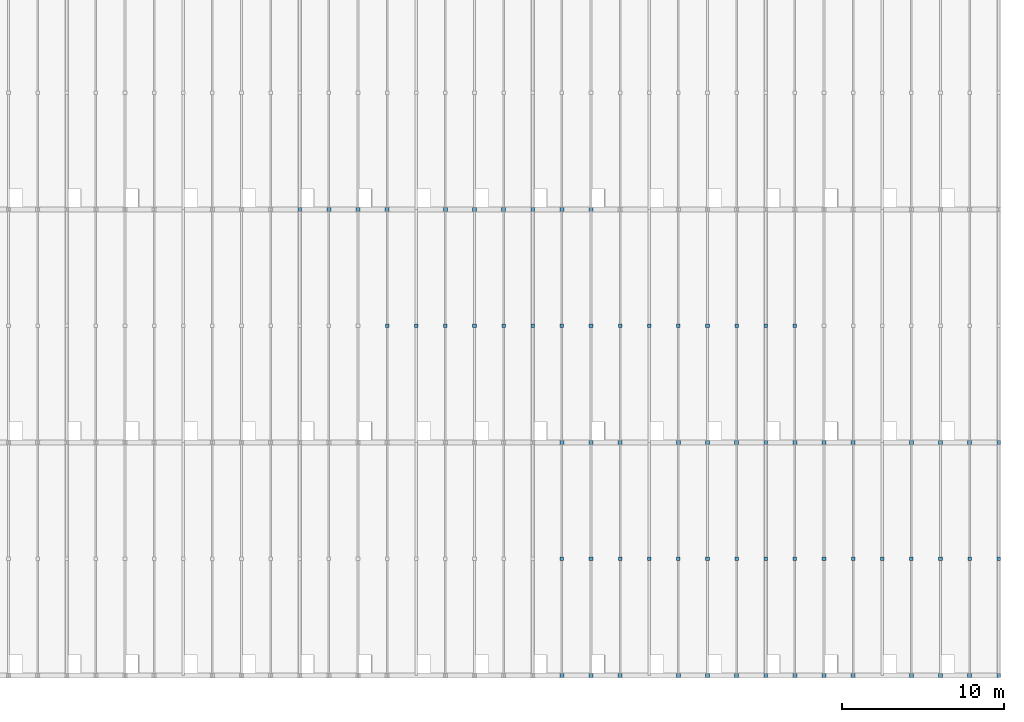
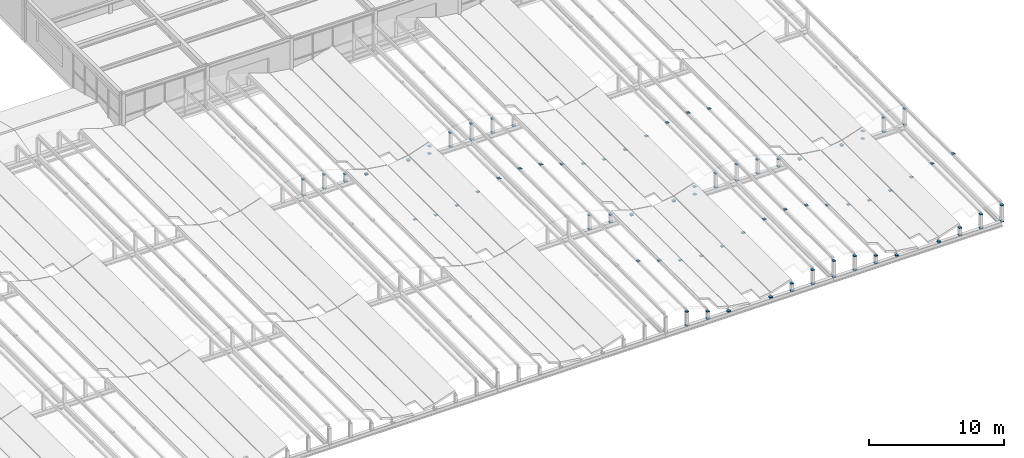
# One storey, part 76 of 83: 106 discrete accessories.
"""IFC4 building model written with IfcOpenShell, lengths in metres."""

from ifc_helpers import new_model, si_unit, direction, frame, origin, origin_2d, place, context, subcontext, project, spatial, rectangle, extrude, material, type_object, element, save


model = new_model("IFC4")

# Units and contexts
model_context = context("Model", 3, precision=1e-05, world=origin(), true_north=direction((0.0, 1.0)))
body_context = subcontext(model_context, "Body", "Model", "MODEL_VIEW")
ifc_project = project(units=[si_unit("LENGTHUNIT", "METRE"), si_unit("AREAUNIT", "SQUARE_METRE"), si_unit("VOLUMEUNIT", "CUBIC_METRE"), si_unit("PLANEANGLEUNIT", "RADIAN"), si_unit("MASSUNIT", "GRAM", prefix="KILO")], contexts=[model_context])

# Site, building, storey
site_placement = place(None, origin())
site = spatial("IfcSite", under=ifc_project, at=site_placement, CompositionType="ELEMENT")
building_placement = place(site_placement, origin())
building = spatial("IfcBuilding", under=site, at=building_placement, Name="Leyfeld Transit Interchange", CompositionType="ELEMENT")
storey_placement = place(building_placement, frame((0.0, 0.0, 5.39990234375)))
storey = spatial("IfcBuildingStorey", under=building, at=storey_placement, Name="L01", CompositionType="ELEMENT", Elevation=5.39990234375)

# Discrete accessories
ifc_material = material(Name="Steel S355J2", Category="steel")
discrete_accessory_type = type_object("IfcDiscreteAccessoryType", Name="ACC-BRK-PUR", PredefinedType="BRACKET", material=ifc_material)
for number, where, z_axis, x_axis, name in (
    (1, (144.0, 28.800048828125, 0.85009765625), (0.0, 0.0, 1.0), (1.0, 0.0, 0.0), "Riser Post Base Shoe 162"),
    (2, (144.0, 28.800048828125, 2.318115234375), (0.0, 0.0, 1.0), (1.0, 0.0, 0.0), "Riser Post Cap Shoe 162"),
    (3, (145.800048828125, 28.800048828125, 0.85009765625), (0.0, 0.0, 1.0), (1.0, 0.0, 0.0), "Riser Post Base Shoe 169"),
    (4, (145.800048828125, 28.800048828125, 2.1298828125), (0.0, 0.0, 1.0), (1.0, 0.0, 0.0), "Riser Post Cap Shoe 169"),
    (5, (147.60009765625, 28.800048828125, 0.85009765625), (0.0, 0.0, 1.0), (1.0, 0.0, 0.0), "Riser Post Base Shoe 176"),
    (6, (147.60009765625, 28.800048828125, 1.526611328125), (0.0, 0.0, 1.0), (1.0, 0.0, 0.0), "Riser Post Cap Shoe 176"),
):
    element("IfcDiscreteAccessory", number, at=place(storey_placement, frame(where, z_axis=z_axis, x_axis=x_axis)), inside=storey, type_object=discrete_accessory_type, Name=name, PredefinedType="BRACKET", context=body_context, shape_type="SweptSolid", body=[
        extrude(rectangle(XDim=0.239990234375, YDim=0.239990234375, at=origin_2d()), origin(), (0.0, 0.0, 1.0), 0.06005859375),
    ])
discrete_accessory_1_placement = place(storey_placement, frame((149.39990234375, 21.60009765625, 1.16064453125), z_axis=(0.0, 0.0, 1.0), x_axis=(1.0, 0.0, 0.0)))
element("IfcDiscreteAccessory", 7, at=discrete_accessory_1_placement, inside=storey, type_object=discrete_accessory_type, Name="Wave Shell Purlin Cleat 180", PredefinedType="BRACKET", context=body_context, shape_type="SweptSolid", body=[
    extrude(rectangle(XDim=0.219970703125, YDim=0.219970703125, at=origin_2d()), origin(), (0.0, 0.0, 1.0), 0.050048828125),
])
for number, where, z_axis, x_axis, name in (
    (8, (149.39990234375, 28.800048828125, 0.85009765625), (0.0, 0.0, 1.0), (1.0, 0.0, 0.0), "Riser Post Base Shoe 183"),
    (9, (149.39990234375, 28.800048828125, 0.9248046875), (0.0, 0.0, 1.0), (1.0, 0.0, 0.0), "Riser Post Cap Shoe 183"),
):
    element("IfcDiscreteAccessory", number, at=place(storey_placement, frame(where, z_axis=z_axis, x_axis=x_axis)), inside=storey, type_object=discrete_accessory_type, Name=name, PredefinedType="BRACKET", context=body_context, shape_type="SweptSolid", body=[
        extrude(rectangle(XDim=0.239990234375, YDim=0.239990234375, at=origin_2d()), origin(), (0.0, 0.0, 1.0), 0.06005859375),
    ])
for number, where, z_axis, x_axis, name in (
    (10, (151.199951171875, 21.60009765625, 0.91796875), (0.0, 0.0, 1.0), (1.0, 0.0, 0.0), "Wave Shell Purlin Cleat 186"),
    (11, (153.0, 21.60009765625, 1.16064453125), (0.0, 0.0, 1.0), (1.0, 0.0, 0.0), "Wave Shell Purlin Cleat 190"),
):
    element("IfcDiscreteAccessory", number, at=place(storey_placement, frame(where, z_axis=z_axis, x_axis=x_axis)), inside=storey, type_object=discrete_accessory_type, Name=name, PredefinedType="BRACKET", context=body_context, shape_type="SweptSolid", body=[
        extrude(rectangle(XDim=0.219970703125, YDim=0.219970703125, at=origin_2d()), origin(), (0.0, 0.0, 1.0), 0.050048828125),
    ])
for number, where, z_axis, x_axis, name in (
    (12, (153.0, 28.800048828125, 0.85009765625), (0.0, 0.0, 1.0), (1.0, 0.0, 0.0), "Riser Post Base Shoe 193"),
    (13, (153.0, 28.800048828125, 0.9248046875), (0.0, 0.0, 1.0), (1.0, 0.0, 0.0), "Riser Post Cap Shoe 193"),
):
    element("IfcDiscreteAccessory", number, at=place(storey_placement, frame(where, z_axis=z_axis, x_axis=x_axis)), inside=storey, type_object=discrete_accessory_type, Name=name, PredefinedType="BRACKET", context=body_context, shape_type="SweptSolid", body=[
        extrude(rectangle(XDim=0.239990234375, YDim=0.239990234375, at=origin_2d()), origin(), (0.0, 0.0, 1.0), 0.06005859375),
    ])
discrete_accessory_2_placement = place(storey_placement, frame((154.800048828125, 21.60009765625, 1.76220703125), z_axis=(0.0, 0.0, 1.0), x_axis=(1.0, 0.0, 0.0)))
element("IfcDiscreteAccessory", 14, at=discrete_accessory_2_placement, inside=storey, type_object=discrete_accessory_type, Name="Wave Shell Purlin Cleat 197", PredefinedType="BRACKET", context=body_context, shape_type="SweptSolid", body=[
    extrude(rectangle(XDim=0.219970703125, YDim=0.219970703125, at=origin_2d()), origin(), (0.0, 0.0, 1.0), 0.050048828125),
])
for number, where, z_axis, x_axis, name in (
    (15, (154.800048828125, 28.800048828125, 0.85009765625), (0.0, 0.0, 1.0), (1.0, 0.0, 0.0), "Riser Post Base Shoe 200"),
    (16, (154.800048828125, 28.800048828125, 1.526611328125), (0.0, 0.0, 1.0), (1.0, 0.0, 0.0), "Riser Post Cap Shoe 200"),
):
    element("IfcDiscreteAccessory", number, at=place(storey_placement, frame(where, z_axis=z_axis, x_axis=x_axis)), inside=storey, type_object=discrete_accessory_type, Name=name, PredefinedType="BRACKET", context=body_context, shape_type="SweptSolid", body=[
        extrude(rectangle(XDim=0.239990234375, YDim=0.239990234375, at=origin_2d()), origin(), (0.0, 0.0, 1.0), 0.06005859375),
    ])
discrete_accessory_3_placement = place(storey_placement, frame((156.60009765625, 21.60009765625, 2.36572265625), z_axis=(0.0, 0.0, 1.0), x_axis=(1.0, 0.0, 0.0)))
element("IfcDiscreteAccessory", 17, at=discrete_accessory_3_placement, inside=storey, type_object=discrete_accessory_type, Name="Wave Shell Purlin Cleat 204", PredefinedType="BRACKET", context=body_context, shape_type="SweptSolid", body=[
    extrude(rectangle(XDim=0.219970703125, YDim=0.219970703125, at=origin_2d()), origin(), (0.0, 0.0, 1.0), 0.050048828125),
])
for number, where, z_axis, x_axis, name in (
    (18, (156.60009765625, 28.800048828125, 0.85009765625), (0.0, 0.0, 1.0), (1.0, 0.0, 0.0), "Riser Post Base Shoe 207"),
    (19, (156.60009765625, 28.800048828125, 2.1298828125), (0.0, 0.0, 1.0), (1.0, 0.0, 0.0), "Riser Post Cap Shoe 207"),
):
    element("IfcDiscreteAccessory", number, at=place(storey_placement, frame(where, z_axis=z_axis, x_axis=x_axis)), inside=storey, type_object=discrete_accessory_type, Name=name, PredefinedType="BRACKET", context=body_context, shape_type="SweptSolid", body=[
        extrude(rectangle(XDim=0.239990234375, YDim=0.239990234375, at=origin_2d()), origin(), (0.0, 0.0, 1.0), 0.06005859375),
    ])
discrete_accessory_4_placement = place(storey_placement, frame((158.39990234375, 21.60009765625, 2.623046875), z_axis=(0.0, 0.0, 1.0), x_axis=(1.0, 0.0, 0.0)))
element("IfcDiscreteAccessory", 20, at=discrete_accessory_4_placement, inside=storey, type_object=discrete_accessory_type, Name="Wave Shell Purlin Cleat 211", PredefinedType="BRACKET", context=body_context, shape_type="SweptSolid", body=[
    extrude(rectangle(XDim=0.219970703125, YDim=0.219970703125, at=origin_2d()), origin(), (0.0, 0.0, 1.0), 0.050048828125),
])
for number, where, z_axis, x_axis, name in (
    (21, (158.39990234375, 28.800048828125, 0.85009765625), (0.0, 0.0, 1.0), (1.0, 0.0, 0.0), "Riser Post Base Shoe 214"),
    (22, (158.39990234375, 28.800048828125, 2.318115234375), (0.0, 0.0, 1.0), (1.0, 0.0, 0.0), "Riser Post Cap Shoe 214"),
):
    element("IfcDiscreteAccessory", number, at=place(storey_placement, frame(where, z_axis=z_axis, x_axis=x_axis)), inside=storey, type_object=discrete_accessory_type, Name=name, PredefinedType="BRACKET", context=body_context, shape_type="SweptSolid", body=[
        extrude(rectangle(XDim=0.239990234375, YDim=0.239990234375, at=origin_2d()), origin(), (0.0, 0.0, 1.0), 0.06005859375),
    ])
discrete_accessory_5_placement = place(storey_placement, frame((160.199951171875, 7.199951171875, 2.349609375), z_axis=(0.0, 0.0, 1.0), x_axis=(1.0, 0.0, 0.0)))
element("IfcDiscreteAccessory", 23, at=discrete_accessory_5_placement, inside=storey, type_object=discrete_accessory_type, Name="Wave Shell Purlin Cleat 216", PredefinedType="BRACKET", context=body_context, shape_type="SweptSolid", body=[
    extrude(rectangle(XDim=0.219970703125, YDim=0.219970703125, at=origin_2d()), origin(), (0.0, 0.0, 1.0), 0.050048828125),
])
for number, where, z_axis, x_axis, name in (
    (24, (160.199951171875, 0.0, 0.85009765625), (0.0, 0.0, 1.0), (1.0, 0.0, 0.0), "Riser Post Base Shoe 217"),
    (25, (160.199951171875, 0.0, 2.1298828125), (0.0, 0.0, 1.0), (1.0, 0.0, 0.0), "Riser Post Cap Shoe 217"),
):
    element("IfcDiscreteAccessory", number, at=place(storey_placement, frame(where, z_axis=z_axis, x_axis=x_axis)), inside=storey, type_object=discrete_accessory_type, Name=name, PredefinedType="BRACKET", context=body_context, shape_type="SweptSolid", body=[
        extrude(rectangle(XDim=0.239990234375, YDim=0.239990234375, at=origin_2d()), origin(), (0.0, 0.0, 1.0), 0.06005859375),
    ])
discrete_accessory_6_placement = place(storey_placement, frame((160.199951171875, 21.60009765625, 2.36572265625), z_axis=(0.0, 0.0, 1.0), x_axis=(1.0, 0.0, 0.0)))
element("IfcDiscreteAccessory", 26, at=discrete_accessory_6_placement, inside=storey, type_object=discrete_accessory_type, Name="Wave Shell Purlin Cleat 218", PredefinedType="BRACKET", context=body_context, shape_type="SweptSolid", body=[
    extrude(rectangle(XDim=0.219970703125, YDim=0.219970703125, at=origin_2d()), origin(), (0.0, 0.0, 1.0), 0.050048828125),
])
for number, where, z_axis, x_axis, name in (
    (27, (160.199951171875, 14.39990234375, 0.85009765625), (0.0, 0.0, 1.0), (1.0, 0.0, 0.0), "Riser Post Base Shoe 219"),
    (28, (160.199951171875, 14.39990234375, 2.1455078125), (0.0, 0.0, 1.0), (1.0, 0.0, 0.0), "Riser Post Cap Shoe 219"),
    (29, (160.199951171875, 28.800048828125, 0.85009765625), (0.0, 0.0, 1.0), (1.0, 0.0, 0.0), "Riser Post Base Shoe 221"),
    (30, (160.199951171875, 28.800048828125, 2.1298828125), (0.0, 0.0, 1.0), (1.0, 0.0, 0.0), "Riser Post Cap Shoe 221"),
):
    element("IfcDiscreteAccessory", number, at=place(storey_placement, frame(where, z_axis=z_axis, x_axis=x_axis)), inside=storey, type_object=discrete_accessory_type, Name=name, PredefinedType="BRACKET", context=body_context, shape_type="SweptSolid", body=[
        extrude(rectangle(XDim=0.239990234375, YDim=0.239990234375, at=origin_2d()), origin(), (0.0, 0.0, 1.0), 0.06005859375),
    ])
discrete_accessory_7_placement = place(storey_placement, frame((162.0, 7.199951171875, 1.74658203125), z_axis=(0.0, 0.0, 1.0), x_axis=(1.0, 0.0, 0.0)))
element("IfcDiscreteAccessory", 31, at=discrete_accessory_7_placement, inside=storey, type_object=discrete_accessory_type, Name="Wave Shell Purlin Cleat 223", PredefinedType="BRACKET", context=body_context, shape_type="SweptSolid", body=[
    extrude(rectangle(XDim=0.219970703125, YDim=0.219970703125, at=origin_2d()), origin(), (0.0, 0.0, 1.0), 0.050048828125),
])
for number, where, z_axis, x_axis, name in (
    (32, (162.0, 0.0, 0.85009765625), (0.0, 0.0, 1.0), (1.0, 0.0, 0.0), "Riser Post Base Shoe 224"),
    (33, (162.0, 0.0, 1.526611328125), (0.0, 0.0, 1.0), (1.0, 0.0, 0.0), "Riser Post Cap Shoe 224"),
):
    element("IfcDiscreteAccessory", number, at=place(storey_placement, frame(where, z_axis=z_axis, x_axis=x_axis)), inside=storey, type_object=discrete_accessory_type, Name=name, PredefinedType="BRACKET", context=body_context, shape_type="SweptSolid", body=[
        extrude(rectangle(XDim=0.239990234375, YDim=0.239990234375, at=origin_2d()), origin(), (0.0, 0.0, 1.0), 0.06005859375),
    ])
discrete_accessory_8_placement = place(storey_placement, frame((162.0, 21.60009765625, 1.76220703125), z_axis=(0.0, 0.0, 1.0), x_axis=(1.0, 0.0, 0.0)))
element("IfcDiscreteAccessory", 34, at=discrete_accessory_8_placement, inside=storey, type_object=discrete_accessory_type, Name="Wave Shell Purlin Cleat 225", PredefinedType="BRACKET", context=body_context, shape_type="SweptSolid", body=[
    extrude(rectangle(XDim=0.219970703125, YDim=0.219970703125, at=origin_2d()), origin(), (0.0, 0.0, 1.0), 0.050048828125),
])
for number, where, z_axis, x_axis, name in (
    (35, (162.0, 14.39990234375, 0.85009765625), (0.0, 0.0, 1.0), (1.0, 0.0, 0.0), "Riser Post Base Shoe 226"),
    (36, (162.0, 14.39990234375, 1.54248046875), (0.0, 0.0, 1.0), (1.0, 0.0, 0.0), "Riser Post Cap Shoe 226"),
    (37, (162.0, 28.800048828125, 0.85009765625), (0.0, 0.0, 1.0), (1.0, 0.0, 0.0), "Riser Post Base Shoe 228"),
):
    element("IfcDiscreteAccessory", number, at=place(storey_placement, frame(where, z_axis=z_axis, x_axis=x_axis)), inside=storey, type_object=discrete_accessory_type, Name=name, PredefinedType="BRACKET", context=body_context, shape_type="SweptSolid", body=[
        extrude(rectangle(XDim=0.239990234375, YDim=0.239990234375, at=origin_2d()), origin(), (0.0, 0.0, 1.0), 0.06005859375),
    ])
discrete_accessory_9_placement = place(storey_placement, frame((163.800048828125, 7.199951171875, 1.14453125), z_axis=(0.0, 0.0, 1.0), x_axis=(1.0, 0.0, 0.0)))
element("IfcDiscreteAccessory", 38, at=discrete_accessory_9_placement, inside=storey, type_object=discrete_accessory_type, Name="Wave Shell Purlin Cleat 230", PredefinedType="BRACKET", context=body_context, shape_type="SweptSolid", body=[
    extrude(rectangle(XDim=0.219970703125, YDim=0.219970703125, at=origin_2d()), origin(), (0.0, 0.0, 1.0), 0.050048828125),
])
for number, where, z_axis, x_axis, name in (
    (39, (163.800048828125, 0.0, 0.85009765625), (0.0, 0.0, 1.0), (1.0, 0.0, 0.0), "Riser Post Base Shoe 231"),
    (40, (163.800048828125, 0.0, 0.9248046875), (0.0, 0.0, 1.0), (1.0, 0.0, 0.0), "Riser Post Cap Shoe 231"),
):
    element("IfcDiscreteAccessory", number, at=place(storey_placement, frame(where, z_axis=z_axis, x_axis=x_axis)), inside=storey, type_object=discrete_accessory_type, Name=name, PredefinedType="BRACKET", context=body_context, shape_type="SweptSolid", body=[
        extrude(rectangle(XDim=0.239990234375, YDim=0.239990234375, at=origin_2d()), origin(), (0.0, 0.0, 1.0), 0.06005859375),
    ])
discrete_accessory_10_placement = place(storey_placement, frame((163.800048828125, 21.60009765625, 1.16064453125), z_axis=(0.0, 0.0, 1.0), x_axis=(1.0, 0.0, 0.0)))
element("IfcDiscreteAccessory", 41, at=discrete_accessory_10_placement, inside=storey, type_object=discrete_accessory_type, Name="Wave Shell Purlin Cleat 232", PredefinedType="BRACKET", context=body_context, shape_type="SweptSolid", body=[
    extrude(rectangle(XDim=0.219970703125, YDim=0.219970703125, at=origin_2d()), origin(), (0.0, 0.0, 1.0), 0.050048828125),
])
for number, where, z_axis, x_axis, name in (
    (42, (163.800048828125, 14.39990234375, 0.85009765625), (0.0, 0.0, 1.0), (1.0, 0.0, 0.0), "Riser Post Base Shoe 233"),
    (43, (163.800048828125, 14.39990234375, 0.940673828125), (0.0, 0.0, 1.0), (1.0, 0.0, 0.0), "Riser Post Cap Shoe 233"),
):
    element("IfcDiscreteAccessory", number, at=place(storey_placement, frame(where, z_axis=z_axis, x_axis=x_axis)), inside=storey, type_object=discrete_accessory_type, Name=name, PredefinedType="BRACKET", context=body_context, shape_type="SweptSolid", body=[
        extrude(rectangle(XDim=0.239990234375, YDim=0.239990234375, at=origin_2d()), origin(), (0.0, 0.0, 1.0), 0.06005859375),
    ])
for number, where, z_axis, x_axis, name in (
    (44, (165.60009765625, 7.199951171875, 0.90234375), (0.0, 0.0, 1.0), (1.0, 0.0, 0.0), "Wave Shell Purlin Cleat 237"),
    (45, (165.60009765625, 21.60009765625, 0.91796875), (0.0, 0.0, 1.0), (1.0, 0.0, 0.0), "Wave Shell Purlin Cleat 238"),
    (46, (167.39990234375, 7.199951171875, 1.14453125), (0.0, 0.0, 1.0), (1.0, 0.0, 0.0), "Wave Shell Purlin Cleat 240"),
):
    element("IfcDiscreteAccessory", number, at=place(storey_placement, frame(where, z_axis=z_axis, x_axis=x_axis)), inside=storey, type_object=discrete_accessory_type, Name=name, PredefinedType="BRACKET", context=body_context, shape_type="SweptSolid", body=[
        extrude(rectangle(XDim=0.219970703125, YDim=0.219970703125, at=origin_2d()), origin(), (0.0, 0.0, 1.0), 0.050048828125),
    ])
for number, where, z_axis, x_axis, name in (
    (47, (167.39990234375, 0.0, 0.85009765625), (0.0, 0.0, 1.0), (1.0, 0.0, 0.0), "Riser Post Base Shoe 241"),
    (48, (167.39990234375, 0.0, 0.9248046875), (0.0, 0.0, 1.0), (1.0, 0.0, 0.0), "Riser Post Cap Shoe 241"),
):
    element("IfcDiscreteAccessory", number, at=place(storey_placement, frame(where, z_axis=z_axis, x_axis=x_axis)), inside=storey, type_object=discrete_accessory_type, Name=name, PredefinedType="BRACKET", context=body_context, shape_type="SweptSolid", body=[
        extrude(rectangle(XDim=0.239990234375, YDim=0.239990234375, at=origin_2d()), origin(), (0.0, 0.0, 1.0), 0.06005859375),
    ])
discrete_accessory_11_placement = place(storey_placement, frame((167.39990234375, 21.60009765625, 1.16064453125), z_axis=(0.0, 0.0, 1.0), x_axis=(1.0, 0.0, 0.0)))
element("IfcDiscreteAccessory", 49, at=discrete_accessory_11_placement, inside=storey, type_object=discrete_accessory_type, Name="Wave Shell Purlin Cleat 242", PredefinedType="BRACKET", context=body_context, shape_type="SweptSolid", body=[
    extrude(rectangle(XDim=0.219970703125, YDim=0.219970703125, at=origin_2d()), origin(), (0.0, 0.0, 1.0), 0.050048828125),
])
for number, where, z_axis, x_axis, name in (
    (50, (167.39990234375, 14.39990234375, 0.85009765625), (0.0, 0.0, 1.0), (1.0, 0.0, 0.0), "Riser Post Base Shoe 243"),
    (51, (167.39990234375, 14.39990234375, 0.940673828125), (0.0, 0.0, 1.0), (1.0, 0.0, 0.0), "Riser Post Cap Shoe 243"),
):
    element("IfcDiscreteAccessory", number, at=place(storey_placement, frame(where, z_axis=z_axis, x_axis=x_axis)), inside=storey, type_object=discrete_accessory_type, Name=name, PredefinedType="BRACKET", context=body_context, shape_type="SweptSolid", body=[
        extrude(rectangle(XDim=0.239990234375, YDim=0.239990234375, at=origin_2d()), origin(), (0.0, 0.0, 1.0), 0.06005859375),
    ])
discrete_accessory_12_placement = place(storey_placement, frame((169.199951171875, 7.199951171875, 1.74658203125), z_axis=(0.0, 0.0, 1.0), x_axis=(1.0, 0.0, 0.0)))
element("IfcDiscreteAccessory", 52, at=discrete_accessory_12_placement, inside=storey, type_object=discrete_accessory_type, Name="Wave Shell Purlin Cleat 247", PredefinedType="BRACKET", context=body_context, shape_type="SweptSolid", body=[
    extrude(rectangle(XDim=0.219970703125, YDim=0.219970703125, at=origin_2d()), origin(), (0.0, 0.0, 1.0), 0.050048828125),
])
for number, where, z_axis, x_axis, name in (
    (53, (169.199951171875, 0.0, 0.85009765625), (0.0, 0.0, 1.0), (1.0, 0.0, 0.0), "Riser Post Base Shoe 248"),
    (54, (169.199951171875, 0.0, 1.526611328125), (0.0, 0.0, 1.0), (1.0, 0.0, 0.0), "Riser Post Cap Shoe 248"),
):
    element("IfcDiscreteAccessory", number, at=place(storey_placement, frame(where, z_axis=z_axis, x_axis=x_axis)), inside=storey, type_object=discrete_accessory_type, Name=name, PredefinedType="BRACKET", context=body_context, shape_type="SweptSolid", body=[
        extrude(rectangle(XDim=0.239990234375, YDim=0.239990234375, at=origin_2d()), origin(), (0.0, 0.0, 1.0), 0.06005859375),
    ])
discrete_accessory_13_placement = place(storey_placement, frame((169.199951171875, 21.60009765625, 1.76220703125), z_axis=(0.0, 0.0, 1.0), x_axis=(1.0, 0.0, 0.0)))
element("IfcDiscreteAccessory", 55, at=discrete_accessory_13_placement, inside=storey, type_object=discrete_accessory_type, Name="Wave Shell Purlin Cleat 249", PredefinedType="BRACKET", context=body_context, shape_type="SweptSolid", body=[
    extrude(rectangle(XDim=0.219970703125, YDim=0.219970703125, at=origin_2d()), origin(), (0.0, 0.0, 1.0), 0.050048828125),
])
for number, where, z_axis, x_axis, name in (
    (56, (169.199951171875, 14.39990234375, 0.85009765625), (0.0, 0.0, 1.0), (1.0, 0.0, 0.0), "Riser Post Base Shoe 250"),
    (57, (169.199951171875, 14.39990234375, 1.54248046875), (0.0, 0.0, 1.0), (1.0, 0.0, 0.0), "Riser Post Cap Shoe 250"),
):
    element("IfcDiscreteAccessory", number, at=place(storey_placement, frame(where, z_axis=z_axis, x_axis=x_axis)), inside=storey, type_object=discrete_accessory_type, Name=name, PredefinedType="BRACKET", context=body_context, shape_type="SweptSolid", body=[
        extrude(rectangle(XDim=0.239990234375, YDim=0.239990234375, at=origin_2d()), origin(), (0.0, 0.0, 1.0), 0.06005859375),
    ])
discrete_accessory_14_placement = place(storey_placement, frame((171.0, 7.199951171875, 2.349609375), z_axis=(0.0, 0.0, 1.0), x_axis=(1.0, 0.0, 0.0)))
element("IfcDiscreteAccessory", 58, at=discrete_accessory_14_placement, inside=storey, type_object=discrete_accessory_type, Name="Wave Shell Purlin Cleat 254", PredefinedType="BRACKET", context=body_context, shape_type="SweptSolid", body=[
    extrude(rectangle(XDim=0.219970703125, YDim=0.219970703125, at=origin_2d()), origin(), (0.0, 0.0, 1.0), 0.050048828125),
])
for number, where, z_axis, x_axis, name in (
    (59, (171.0, 0.0, 0.85009765625), (0.0, 0.0, 1.0), (1.0, 0.0, 0.0), "Riser Post Base Shoe 255"),
    (60, (171.0, 0.0, 2.1298828125), (0.0, 0.0, 1.0), (1.0, 0.0, 0.0), "Riser Post Cap Shoe 255"),
):
    element("IfcDiscreteAccessory", number, at=place(storey_placement, frame(where, z_axis=z_axis, x_axis=x_axis)), inside=storey, type_object=discrete_accessory_type, Name=name, PredefinedType="BRACKET", context=body_context, shape_type="SweptSolid", body=[
        extrude(rectangle(XDim=0.239990234375, YDim=0.239990234375, at=origin_2d()), origin(), (0.0, 0.0, 1.0), 0.06005859375),
    ])
discrete_accessory_15_placement = place(storey_placement, frame((171.0, 21.60009765625, 2.36572265625), z_axis=(0.0, 0.0, 1.0), x_axis=(1.0, 0.0, 0.0)))
element("IfcDiscreteAccessory", 61, at=discrete_accessory_15_placement, inside=storey, type_object=discrete_accessory_type, Name="Wave Shell Purlin Cleat 256", PredefinedType="BRACKET", context=body_context, shape_type="SweptSolid", body=[
    extrude(rectangle(XDim=0.219970703125, YDim=0.219970703125, at=origin_2d()), origin(), (0.0, 0.0, 1.0), 0.050048828125),
])
for number, where, z_axis, x_axis, name in (
    (62, (171.0, 14.39990234375, 0.85009765625), (0.0, 0.0, 1.0), (1.0, 0.0, 0.0), "Riser Post Base Shoe 257"),
    (63, (171.0, 14.39990234375, 2.1455078125), (0.0, 0.0, 1.0), (1.0, 0.0, 0.0), "Riser Post Cap Shoe 257"),
):
    element("IfcDiscreteAccessory", number, at=place(storey_placement, frame(where, z_axis=z_axis, x_axis=x_axis)), inside=storey, type_object=discrete_accessory_type, Name=name, PredefinedType="BRACKET", context=body_context, shape_type="SweptSolid", body=[
        extrude(rectangle(XDim=0.239990234375, YDim=0.239990234375, at=origin_2d()), origin(), (0.0, 0.0, 1.0), 0.06005859375),
    ])
discrete_accessory_16_placement = place(storey_placement, frame((172.800048828125, 7.199951171875, 2.60791015625), z_axis=(0.0, 0.0, 1.0), x_axis=(1.0, 0.0, 0.0)))
element("IfcDiscreteAccessory", 64, at=discrete_accessory_16_placement, inside=storey, type_object=discrete_accessory_type, Name="Wave Shell Purlin Cleat 261", PredefinedType="BRACKET", context=body_context, shape_type="SweptSolid", body=[
    extrude(rectangle(XDim=0.219970703125, YDim=0.219970703125, at=origin_2d()), origin(), (0.0, 0.0, 1.0), 0.050048828125),
])
for number, where, z_axis, x_axis, name in (
    (65, (172.800048828125, 0.0, 0.85009765625), (0.0, 0.0, 1.0), (1.0, 0.0, 0.0), "Riser Post Base Shoe 262"),
    (66, (172.800048828125, 0.0, 2.318115234375), (0.0, 0.0, 1.0), (1.0, 0.0, 0.0), "Riser Post Cap Shoe 262"),
):
    element("IfcDiscreteAccessory", number, at=place(storey_placement, frame(where, z_axis=z_axis, x_axis=x_axis)), inside=storey, type_object=discrete_accessory_type, Name=name, PredefinedType="BRACKET", context=body_context, shape_type="SweptSolid", body=[
        extrude(rectangle(XDim=0.239990234375, YDim=0.239990234375, at=origin_2d()), origin(), (0.0, 0.0, 1.0), 0.06005859375),
    ])
discrete_accessory_17_placement = place(storey_placement, frame((172.800048828125, 21.60009765625, 2.623046875), z_axis=(0.0, 0.0, 1.0), x_axis=(1.0, 0.0, 0.0)))
element("IfcDiscreteAccessory", 67, at=discrete_accessory_17_placement, inside=storey, type_object=discrete_accessory_type, Name="Wave Shell Purlin Cleat 263", PredefinedType="BRACKET", context=body_context, shape_type="SweptSolid", body=[
    extrude(rectangle(XDim=0.219970703125, YDim=0.219970703125, at=origin_2d()), origin(), (0.0, 0.0, 1.0), 0.050048828125),
])
for number, where, z_axis, x_axis, name in (
    (68, (172.800048828125, 14.39990234375, 0.85009765625), (0.0, 0.0, 1.0), (1.0, 0.0, 0.0), "Riser Post Base Shoe 264"),
    (69, (172.800048828125, 14.39990234375, 2.333251953125), (0.0, 0.0, 1.0), (1.0, 0.0, 0.0), "Riser Post Cap Shoe 264"),
):
    element("IfcDiscreteAccessory", number, at=place(storey_placement, frame(where, z_axis=z_axis, x_axis=x_axis)), inside=storey, type_object=discrete_accessory_type, Name=name, PredefinedType="BRACKET", context=body_context, shape_type="SweptSolid", body=[
        extrude(rectangle(XDim=0.239990234375, YDim=0.239990234375, at=origin_2d()), origin(), (0.0, 0.0, 1.0), 0.06005859375),
    ])
discrete_accessory_18_placement = place(storey_placement, frame((174.60009765625, 7.199951171875, 2.349609375), z_axis=(0.0, 0.0, 1.0), x_axis=(1.0, 0.0, 0.0)))
element("IfcDiscreteAccessory", 70, at=discrete_accessory_18_placement, inside=storey, type_object=discrete_accessory_type, Name="Wave Shell Purlin Cleat 268", PredefinedType="BRACKET", context=body_context, shape_type="SweptSolid", body=[
    extrude(rectangle(XDim=0.219970703125, YDim=0.219970703125, at=origin_2d()), origin(), (0.0, 0.0, 1.0), 0.050048828125),
])
for number, where, z_axis, x_axis, name in (
    (71, (174.60009765625, 0.0, 0.85009765625), (0.0, 0.0, 1.0), (1.0, 0.0, 0.0), "Riser Post Base Shoe 269"),
    (72, (174.60009765625, 0.0, 2.1298828125), (0.0, 0.0, 1.0), (1.0, 0.0, 0.0), "Riser Post Cap Shoe 269"),
):
    element("IfcDiscreteAccessory", number, at=place(storey_placement, frame(where, z_axis=z_axis, x_axis=x_axis)), inside=storey, type_object=discrete_accessory_type, Name=name, PredefinedType="BRACKET", context=body_context, shape_type="SweptSolid", body=[
        extrude(rectangle(XDim=0.239990234375, YDim=0.239990234375, at=origin_2d()), origin(), (0.0, 0.0, 1.0), 0.06005859375),
    ])
discrete_accessory_19_placement = place(storey_placement, frame((174.60009765625, 21.60009765625, 2.36572265625), z_axis=(0.0, 0.0, 1.0), x_axis=(1.0, 0.0, 0.0)))
element("IfcDiscreteAccessory", 73, at=discrete_accessory_19_placement, inside=storey, type_object=discrete_accessory_type, Name="Wave Shell Purlin Cleat 270", PredefinedType="BRACKET", context=body_context, shape_type="SweptSolid", body=[
    extrude(rectangle(XDim=0.219970703125, YDim=0.219970703125, at=origin_2d()), origin(), (0.0, 0.0, 1.0), 0.050048828125),
])
for number, where, z_axis, x_axis, name in (
    (74, (174.60009765625, 14.39990234375, 0.85009765625), (0.0, 0.0, 1.0), (1.0, 0.0, 0.0), "Riser Post Base Shoe 271"),
    (75, (174.60009765625, 14.39990234375, 2.1455078125), (0.0, 0.0, 1.0), (1.0, 0.0, 0.0), "Riser Post Cap Shoe 271"),
):
    element("IfcDiscreteAccessory", number, at=place(storey_placement, frame(where, z_axis=z_axis, x_axis=x_axis)), inside=storey, type_object=discrete_accessory_type, Name=name, PredefinedType="BRACKET", context=body_context, shape_type="SweptSolid", body=[
        extrude(rectangle(XDim=0.239990234375, YDim=0.239990234375, at=origin_2d()), origin(), (0.0, 0.0, 1.0), 0.06005859375),
    ])
discrete_accessory_20_placement = place(storey_placement, frame((176.39990234375, 7.199951171875, 1.74658203125), z_axis=(0.0, 0.0, 1.0), x_axis=(1.0, 0.0, 0.0)))
element("IfcDiscreteAccessory", 76, at=discrete_accessory_20_placement, inside=storey, type_object=discrete_accessory_type, Name="Wave Shell Purlin Cleat 275", PredefinedType="BRACKET", context=body_context, shape_type="SweptSolid", body=[
    extrude(rectangle(XDim=0.219970703125, YDim=0.219970703125, at=origin_2d()), origin(), (0.0, 0.0, 1.0), 0.050048828125),
])
for number, where, z_axis, x_axis, name in (
    (77, (176.39990234375, 0.0, 0.85009765625), (0.0, 0.0, 1.0), (1.0, 0.0, 0.0), "Riser Post Base Shoe 276"),
    (78, (176.39990234375, 0.0, 1.526611328125), (0.0, 0.0, 1.0), (1.0, 0.0, 0.0), "Riser Post Cap Shoe 276"),
    (79, (176.39990234375, 14.39990234375, 0.85009765625), (0.0, 0.0, 1.0), (1.0, 0.0, 0.0), "Riser Post Base Shoe 278"),
    (80, (176.39990234375, 14.39990234375, 1.54248046875), (0.0, 0.0, 1.0), (1.0, 0.0, 0.0), "Riser Post Cap Shoe 278"),
):
    element("IfcDiscreteAccessory", number, at=place(storey_placement, frame(where, z_axis=z_axis, x_axis=x_axis)), inside=storey, type_object=discrete_accessory_type, Name=name, PredefinedType="BRACKET", context=body_context, shape_type="SweptSolid", body=[
        extrude(rectangle(XDim=0.239990234375, YDim=0.239990234375, at=origin_2d()), origin(), (0.0, 0.0, 1.0), 0.06005859375),
    ])
discrete_accessory_21_placement = place(storey_placement, frame((178.199951171875, 7.199951171875, 1.14453125), z_axis=(0.0, 0.0, 1.0), x_axis=(1.0, 0.0, 0.0)))
element("IfcDiscreteAccessory", 81, at=discrete_accessory_21_placement, inside=storey, type_object=discrete_accessory_type, Name="Wave Shell Purlin Cleat 282", PredefinedType="BRACKET", context=body_context, shape_type="SweptSolid", body=[
    extrude(rectangle(XDim=0.219970703125, YDim=0.219970703125, at=origin_2d()), origin(), (0.0, 0.0, 1.0), 0.050048828125),
])
for number, where, z_axis, x_axis, name in (
    (82, (178.199951171875, 0.0, 0.85009765625), (0.0, 0.0, 1.0), (1.0, 0.0, 0.0), "Riser Post Base Shoe 283"),
    (83, (178.199951171875, 0.0, 0.9248046875), (0.0, 0.0, 1.0), (1.0, 0.0, 0.0), "Riser Post Cap Shoe 283"),
    (84, (178.199951171875, 14.39990234375, 0.85009765625), (0.0, 0.0, 1.0), (1.0, 0.0, 0.0), "Riser Post Base Shoe 285"),
    (85, (178.199951171875, 14.39990234375, 0.940673828125), (0.0, 0.0, 1.0), (1.0, 0.0, 0.0), "Riser Post Cap Shoe 285"),
):
    element("IfcDiscreteAccessory", number, at=place(storey_placement, frame(where, z_axis=z_axis, x_axis=x_axis)), inside=storey, type_object=discrete_accessory_type, Name=name, PredefinedType="BRACKET", context=body_context, shape_type="SweptSolid", body=[
        extrude(rectangle(XDim=0.239990234375, YDim=0.239990234375, at=origin_2d()), origin(), (0.0, 0.0, 1.0), 0.06005859375),
    ])
for number, where, z_axis, x_axis, name in (
    (86, (180.0, 7.199951171875, 0.90234375), (0.0, 0.0, 1.0), (1.0, 0.0, 0.0), "Wave Shell Purlin Cleat 289"),
    (87, (181.800048828125, 7.199951171875, 1.14453125), (0.0, 0.0, 1.0), (1.0, 0.0, 0.0), "Wave Shell Purlin Cleat 292"),
):
    element("IfcDiscreteAccessory", number, at=place(storey_placement, frame(where, z_axis=z_axis, x_axis=x_axis)), inside=storey, type_object=discrete_accessory_type, Name=name, PredefinedType="BRACKET", context=body_context, shape_type="SweptSolid", body=[
        extrude(rectangle(XDim=0.219970703125, YDim=0.219970703125, at=origin_2d()), origin(), (0.0, 0.0, 1.0), 0.050048828125),
    ])
for number, where, z_axis, x_axis, name in (
    (88, (181.800048828125, 0.0, 0.85009765625), (0.0, 0.0, 1.0), (1.0, 0.0, 0.0), "Riser Post Base Shoe 293"),
    (89, (181.800048828125, 0.0, 0.9248046875), (0.0, 0.0, 1.0), (1.0, 0.0, 0.0), "Riser Post Cap Shoe 293"),
    (90, (181.800048828125, 14.39990234375, 0.85009765625), (0.0, 0.0, 1.0), (1.0, 0.0, 0.0), "Riser Post Base Shoe 295"),
    (91, (181.800048828125, 14.39990234375, 0.940673828125), (0.0, 0.0, 1.0), (1.0, 0.0, 0.0), "Riser Post Cap Shoe 295"),
):
    element("IfcDiscreteAccessory", number, at=place(storey_placement, frame(where, z_axis=z_axis, x_axis=x_axis)), inside=storey, type_object=discrete_accessory_type, Name=name, PredefinedType="BRACKET", context=body_context, shape_type="SweptSolid", body=[
        extrude(rectangle(XDim=0.239990234375, YDim=0.239990234375, at=origin_2d()), origin(), (0.0, 0.0, 1.0), 0.06005859375),
    ])
discrete_accessory_22_placement = place(storey_placement, frame((183.60009765625, 7.199951171875, 1.74658203125), z_axis=(0.0, 0.0, 1.0), x_axis=(1.0, 0.0, 0.0)))
element("IfcDiscreteAccessory", 92, at=discrete_accessory_22_placement, inside=storey, type_object=discrete_accessory_type, Name="Wave Shell Purlin Cleat 299", PredefinedType="BRACKET", context=body_context, shape_type="SweptSolid", body=[
    extrude(rectangle(XDim=0.219970703125, YDim=0.219970703125, at=origin_2d()), origin(), (0.0, 0.0, 1.0), 0.050048828125),
])
for number, where, z_axis, x_axis, name in (
    (93, (183.60009765625, 0.0, 0.85009765625), (0.0, 0.0, 1.0), (1.0, 0.0, 0.0), "Riser Post Base Shoe 300"),
    (94, (183.60009765625, 0.0, 1.526611328125), (0.0, 0.0, 1.0), (1.0, 0.0, 0.0), "Riser Post Cap Shoe 300"),
    (95, (183.60009765625, 14.39990234375, 0.85009765625), (0.0, 0.0, 1.0), (1.0, 0.0, 0.0), "Riser Post Base Shoe 302"),
    (96, (183.60009765625, 14.39990234375, 1.54248046875), (0.0, 0.0, 1.0), (1.0, 0.0, 0.0), "Riser Post Cap Shoe 302"),
):
    element("IfcDiscreteAccessory", number, at=place(storey_placement, frame(where, z_axis=z_axis, x_axis=x_axis)), inside=storey, type_object=discrete_accessory_type, Name=name, PredefinedType="BRACKET", context=body_context, shape_type="SweptSolid", body=[
        extrude(rectangle(XDim=0.239990234375, YDim=0.239990234375, at=origin_2d()), origin(), (0.0, 0.0, 1.0), 0.06005859375),
    ])
discrete_accessory_23_placement = place(storey_placement, frame((185.39990234375, 7.199951171875, 2.349609375), z_axis=(0.0, 0.0, 1.0), x_axis=(1.0, 0.0, 0.0)))
element("IfcDiscreteAccessory", 97, at=discrete_accessory_23_placement, inside=storey, type_object=discrete_accessory_type, Name="Wave Shell Purlin Cleat 306", PredefinedType="BRACKET", context=body_context, shape_type="SweptSolid", body=[
    extrude(rectangle(XDim=0.219970703125, YDim=0.219970703125, at=origin_2d()), origin(), (0.0, 0.0, 1.0), 0.050048828125),
])
for number, where, z_axis, x_axis, name in (
    (98, (185.39990234375, 0.0, 0.85009765625), (0.0, 0.0, 1.0), (1.0, 0.0, 0.0), "Riser Post Base Shoe 307"),
    (99, (185.39990234375, 0.0, 2.1298828125), (0.0, 0.0, 1.0), (1.0, 0.0, 0.0), "Riser Post Cap Shoe 307"),
    (100, (185.39990234375, 14.39990234375, 0.85009765625), (0.0, 0.0, 1.0), (1.0, 0.0, 0.0), "Riser Post Base Shoe 309"),
    (101, (185.39990234375, 14.39990234375, 2.1455078125), (0.0, 0.0, 1.0), (1.0, 0.0, 0.0), "Riser Post Cap Shoe 309"),
):
    element("IfcDiscreteAccessory", number, at=place(storey_placement, frame(where, z_axis=z_axis, x_axis=x_axis)), inside=storey, type_object=discrete_accessory_type, Name=name, PredefinedType="BRACKET", context=body_context, shape_type="SweptSolid", body=[
        extrude(rectangle(XDim=0.239990234375, YDim=0.239990234375, at=origin_2d()), origin(), (0.0, 0.0, 1.0), 0.06005859375),
    ])
discrete_accessory_24_placement = place(storey_placement, frame((187.199951171875, 7.199951171875, 2.60791015625), z_axis=(0.0, 0.0, 1.0), x_axis=(1.0, 0.0, 0.0)))
element("IfcDiscreteAccessory", 102, at=discrete_accessory_24_placement, inside=storey, type_object=discrete_accessory_type, Name="Wave Shell Purlin Cleat 313", PredefinedType="BRACKET", context=body_context, shape_type="SweptSolid", body=[
    extrude(rectangle(XDim=0.219970703125, YDim=0.219970703125, at=origin_2d()), origin(), (0.0, 0.0, 1.0), 0.050048828125),
])
for number, where, z_axis, x_axis, name in (
    (103, (187.199951171875, 0.0, 0.85009765625), (0.0, 0.0, 1.0), (1.0, 0.0, 0.0), "Riser Post Base Shoe 314"),
    (104, (187.199951171875, 0.0, 2.318115234375), (0.0, 0.0, 1.0), (1.0, 0.0, 0.0), "Riser Post Cap Shoe 314"),
    (105, (187.199951171875, 14.39990234375, 0.85009765625), (0.0, 0.0, 1.0), (1.0, 0.0, 0.0), "Riser Post Base Shoe 316"),
    (106, (187.199951171875, 14.39990234375, 2.333251953125), (0.0, 0.0, 1.0), (1.0, 0.0, 0.0), "Riser Post Cap Shoe 316"),
):
    element("IfcDiscreteAccessory", number, at=place(storey_placement, frame(where, z_axis=z_axis, x_axis=x_axis)), inside=storey, type_object=discrete_accessory_type, Name=name, PredefinedType="BRACKET", context=body_context, shape_type="SweptSolid", body=[
        extrude(rectangle(XDim=0.239990234375, YDim=0.239990234375, at=origin_2d()), origin(), (0.0, 0.0, 1.0), 0.06005859375),
    ])

save(model, "model.ifc")
